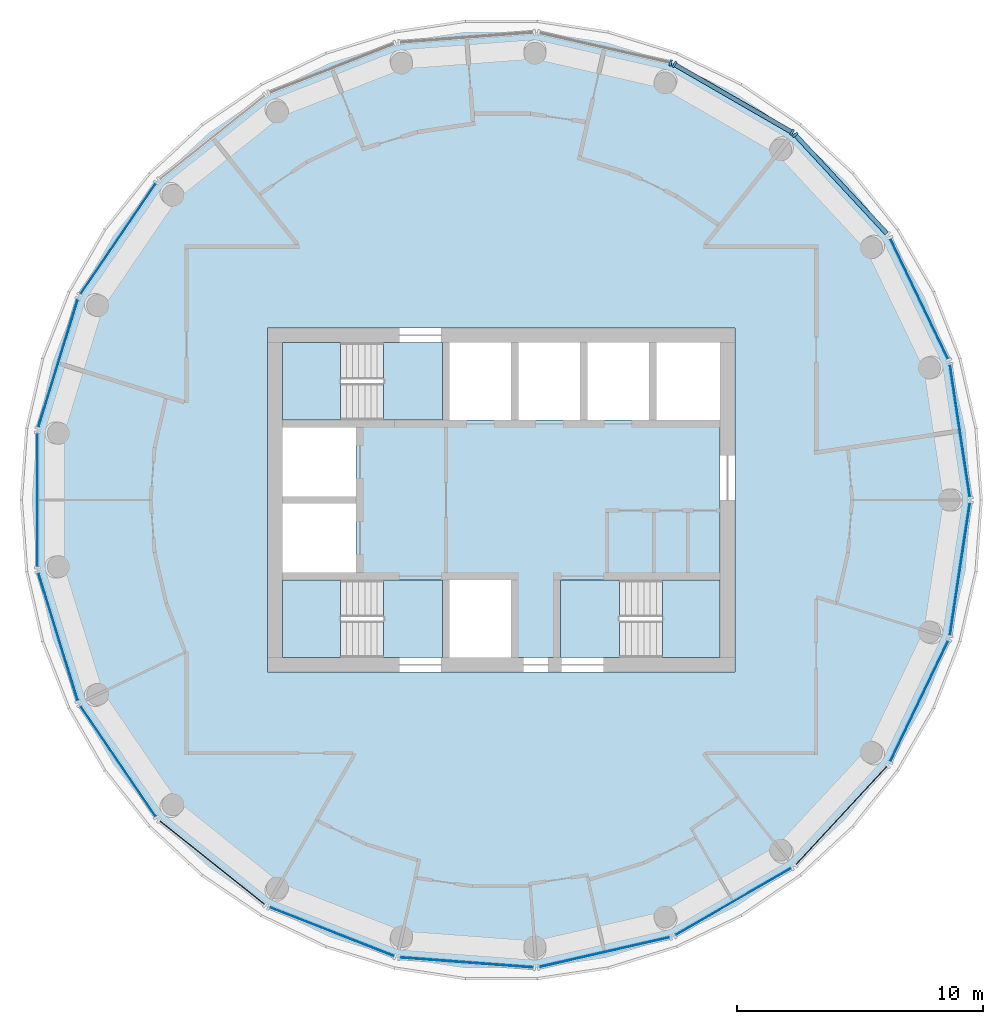
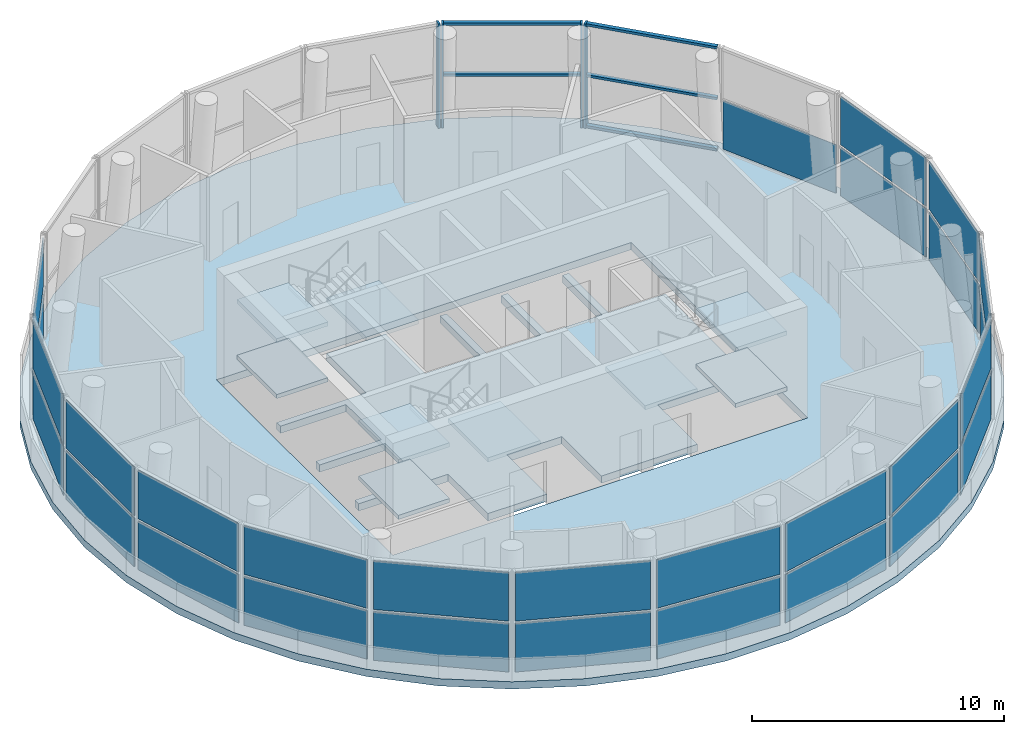
# One storey, part 3 of 10: 29 plates, 11 slabs, 9 members, 21 elements without a shape of their own.
"""IFC4 building model written with IfcOpenShell, lengths in metres."""

from ifc_helpers import new_model, si_unit, direction, frame, origin, origin_2d, place, context, subcontext, project, spatial, polyline, rectangle, outline, extrude, material, layer, layer_set, material_profile, profile_set, type_object, element, aggregate, save


model = new_model("IFC4")

# Units and contexts
model_context = context("Model", 3, precision=1e-05, world=origin(), true_north=direction((0.0, 1.0)))
body_context = subcontext(model_context, "Body", "Model", "MODEL_VIEW")
ifc_project = project(units=[si_unit("LENGTHUNIT", "METRE"), si_unit("AREAUNIT", "SQUARE_METRE"), si_unit("VOLUMEUNIT", "CUBIC_METRE"), si_unit("PLANEANGLEUNIT", "RADIAN"), si_unit("MASSUNIT", "GRAM", prefix="KILO")], contexts=[model_context])

# Site, building, storey
site_placement = place(None, origin())
site = spatial("IfcSite", under=ifc_project, at=site_placement, CompositionType="ELEMENT")
building_placement = place(site_placement, origin())
building = spatial("IfcBuilding", under=site, at=building_placement, Name="Tracery Tower", CompositionType="ELEMENT")
storey_placement = place(building_placement, frame((0.0, 0.0, 336.0)))
storey = spatial("IfcBuildingStorey", under=building, at=storey_placement, Name="L87", CompositionType="ELEMENT", Elevation=336.0)

# Curtain wall, member
ifc_material_1 = material(Name="Aluminium curtain wall with tinted glass", Category="aluminium")
curtain_wall_type = type_object("IfcCurtainWallType", Name="Glazed crown lower curtain wall", PredefinedType="NOTDEFINED", material=ifc_material_1)
curtain_wall_1_placement = place(storey_placement, origin())
curtain_wall_1 = element("IfcCurtainWall", 1, at=curtain_wall_1_placement, inside=storey, type_object=curtain_wall_type, Name="Glazed crown lower run 02", PredefinedType="NOTDEFINED")
ifc_material_2 = material(Name="Aluminium, bronze anodised", Category="aluminium")
ifc_material_profile_1 = material_profile(ifc_material_2, rectangle(XDim=0.260009765625, YDim=0.090087890625, at=origin_2d()), Name="Glazed crown lower mullion 90 x 260")
ifc_profile_set_1 = profile_set([ifc_material_profile_1], Name="Aluminium, bronze anodised")
member_type_1 = type_object("IfcMemberType", Name="Glazed crown lower mullion 90 x 260", PredefinedType="MULLION", material=ifc_profile_set_1)
member_1_placement = place(storey_placement, frame((11.94921875, 14.848876953125, 0.0), z_axis=(0.0, 0.0, 1.0), x_axis=(-0.733043800123, -0.680181436899, 0.0)))
member_1 = element("IfcMember", 2, at=member_1_placement, type_object=member_type_1, Name="CWB2 mullion 2", PredefinedType="MULLION", context=body_context, shape_type="SweptSolid", body=[
    extrude(rectangle(XDim=0.260009765625, YDim=0.090087890625, at=origin_2d()), origin(), (0.0, 0.0, 1.0), 5.050048828125),
])

# Curtain wall, members
curtain_wall_2_placement = place(storey_placement, origin())
curtain_wall_2 = element("IfcCurtainWall", 3, at=curtain_wall_2_placement, inside=storey, type_object=curtain_wall_type, Name="Glazed crown lower run 03", PredefinedType="NOTDEFINED")
member_2_placement = place(storey_placement, frame((11.817626953125, 14.95361328125, 0.0), z_axis=(0.0, 0.0, 1.0), x_axis=(-0.500003522198, -0.866023370233, 0.0)))
member_2 = element("IfcMember", 4, at=member_2_placement, type_object=member_type_1, Name="CWB2 mullion 1", PredefinedType="MULLION", context=body_context, shape_type="SweptSolid", body=[
    extrude(rectangle(XDim=0.260009765625, YDim=0.090087890625, at=origin_2d()), origin(), (0.0, 0.0, 1.0), 5.050048828125),
])
member_3_placement = place(storey_placement, frame((7.04150390625, 17.711181640625, 0.0), z_axis=(0.0, 0.0, 1.0), x_axis=(-0.500003522198, -0.866023370233, 0.0)))
member_3 = element("IfcMember", 5, at=member_3_placement, type_object=member_type_1, Name="CWB2 mullion 2", PredefinedType="MULLION", context=body_context, shape_type="SweptSolid", body=[
    extrude(rectangle(XDim=0.260009765625, YDim=0.090087890625, at=origin_2d()), origin(), (0.0, 0.0, 1.0), 5.050048828125),
])

# Curtain wall, member
curtain_wall_3_placement = place(storey_placement, origin())
curtain_wall_3 = element("IfcCurtainWall", 6, at=curtain_wall_3_placement, inside=storey, type_object=curtain_wall_type, Name="Glazed crown lower run 04", PredefinedType="NOTDEFINED")
member_4_placement = place(storey_placement, frame((6.885009765625, 17.772705078125, 0.0), z_axis=(0.0, 0.0, 1.0), x_axis=(-0.22252783727, -0.97492633652, 0.0)))
member_4 = element("IfcMember", 7, at=member_4_placement, type_object=member_type_1, Name="CWB2 mullion 1", PredefinedType="MULLION", context=body_context, shape_type="SweptSolid", body=[
    extrude(rectangle(XDim=0.260009765625, YDim=0.090087890625, at=origin_2d()), origin(), (0.0, 0.0, 1.0), 5.050048828125),
])
aggregate(curtain_wall_3, [member_4])

# Member
ifc_material_3 = material(Name="Aluminium, bronze anodised", Category="aluminium")
ifc_material_profile_2 = material_profile(ifc_material_3, rectangle(XDim=0.179931640625, YDim=0.1201171875, at=origin_2d()), Name="Glazed crown lower transom 120 x 180")
ifc_profile_set_2 = profile_set([ifc_material_profile_2], Name="Aluminium, bronze anodised")
member_type_2 = type_object("IfcMemberType", Name="Glazed crown lower transom 120 x 180", PredefinedType="USERDEFINED", material=ifc_profile_set_2)
member_5_placement = place(storey_placement, frame((15.669677734375, 10.839111328125, 0.06005859375), z_axis=(-0.680173142396, 0.733051496393, 0.0), x_axis=(-0.733051496393, -0.680173142396, 0.0)))
member_5 = element("IfcMember", 8, at=member_5_placement, type_object=member_type_2, Name="CWB2 transom 1.1", ObjectType="TRANSOM", PredefinedType="USERDEFINED", context=body_context, shape_type="SweptSolid", body=[
    extrude(rectangle(XDim=0.179931640625, YDim=0.1201171875, at=origin_2d()), origin(), (0.0, 0.0, 1.0), 5.425048828125),
])

member_6_placement = place(storey_placement, frame((15.669677734375, 10.839111328125, 2.52490234375), z_axis=(-0.680173142396, 0.733051496393, 0.0), x_axis=(-0.733051496393, -0.680173142396, 0.0)))
member_6 = element("IfcMember", 9, at=member_6_placement, type_object=member_type_2, Name="CWB2 transom 1.2", ObjectType="TRANSOM", PredefinedType="USERDEFINED", context=body_context, shape_type="SweptSolid", body=[
    extrude(rectangle(XDim=0.179931640625, YDim=0.1201171875, at=origin_2d()), origin(), (0.0, 0.0, 1.0), 5.425048828125),
])

member_7_placement = place(storey_placement, frame((15.669677734375, 10.839111328125, 4.989990234375), z_axis=(-0.680173142396, 0.733051496393, 0.0), x_axis=(-0.733051496393, -0.680173142396, 0.0)))
member_7 = element("IfcMember", 10, at=member_7_placement, type_object=member_type_2, Name="CWB2 transom 1.3", ObjectType="TRANSOM", PredefinedType="USERDEFINED", context=body_context, shape_type="SweptSolid", body=[
    extrude(rectangle(XDim=0.179931640625, YDim=0.1201171875, at=origin_2d()), origin(), (0.0, 0.0, 1.0), 5.425048828125),
])

aggregate(curtain_wall_1, [member_1, member_5, member_6, member_7])

member_8_placement = place(storey_placement, frame((11.77880859375, 14.976318359375, 2.52490234375), z_axis=(-0.866046953215, 0.499962673433, 0.0), x_axis=(-0.499962673433, -0.866046953215, 0.0)))
member_8 = element("IfcMember", 11, at=member_8_placement, type_object=member_type_2, Name="CWB2 transom 1.2", ObjectType="TRANSOM", PredefinedType="USERDEFINED", context=body_context, shape_type="SweptSolid", body=[
    extrude(rectangle(XDim=0.179931640625, YDim=0.1201171875, at=origin_2d()), origin(), (0.0, 0.0, 1.0), 5.42529296875),
])

member_9_placement = place(storey_placement, frame((11.77880859375, 14.976318359375, 4.989990234375), z_axis=(-0.866046953215, 0.499962673433, 0.0), x_axis=(-0.499962673433, -0.866046953215, 0.0)))
member_9 = element("IfcMember", 12, at=member_9_placement, type_object=member_type_2, Name="CWB2 transom 1.3", ObjectType="TRANSOM", PredefinedType="USERDEFINED", context=body_context, shape_type="SweptSolid", body=[
    extrude(rectangle(XDim=0.179931640625, YDim=0.1201171875, at=origin_2d()), origin(), (0.0, 0.0, 1.0), 5.42529296875),
])

aggregate(curtain_wall_2, [member_2, member_3, member_8, member_9])

# Slabs
ifc_material_4 = material(Name="Concrete C40/50", Category="concrete")
ifc_layer_1 = layer(ifc_material_4, 0.35009765625)
ifc_layer_set_1 = layer_set([ifc_layer_1], Name="Core floor slab 350 C40")
slab_type_1 = type_object("IfcSlabType", Name="Core floor slab 350 C40", PredefinedType="FLOOR", material=ifc_layer_set_1)
slab_1_placement = place(storey_placement, frame((0.0, 0.0, -0.35009765625)))
element("IfcSlab", 13, at=slab_1_placement, inside=storey, type_object=slab_type_1, Name="L87 core floor 1", PredefinedType="FLOOR", context=body_context, shape_type="SweptSolid", body=[
    extrude(outline(polyline([(-4.800537109375, -3.25), (-8.89990234375, -3.25), (-8.89990234375, -2.949951171875), (-5.89990234375, -2.949951171875), (-5.89990234375, -0.14990234375), (-8.89990234375, -0.14990234375), (-8.89990234375, 0.14990234375), (-5.89990234375, 0.14990234375), (-5.89990234375, 2.949951171875), (-8.89990234375, 2.949951171875), (-8.89990234375, 3.25), (-4.800537109375, 3.25), (-4.800537109375, 6.39990234375), (-2.10009765625, 6.39990234375), (-2.10009765625, 3.25), (0.39990234375, 3.25), (0.39990234375, 6.39990234375), (0.699951171875, 6.39990234375), (0.699951171875, 3.25), (3.199951171875, 3.25), (3.199951171875, 6.39990234375), (3.5, 6.39990234375), (3.5, 3.25), (6.0, 3.25), (6.0, 6.39990234375), (6.300048828125, 6.39990234375), (6.300048828125, 3.25), (8.89990234375, 3.25), (8.89990234375, -3.25), (4.800537109375, -3.25), (4.800537109375, -6.39990234375), (0.39990234375, -6.39990234375), (0.39990234375, -3.25), (-2.10009765625, -3.25), (-2.10009765625, -6.39990234375), (-4.800537109375, -6.39990234375), (-4.800537109375, -3.25)])), origin(), (0.0, 0.0, 1.0), 0.35009765625),
])
ifc_material_5 = material(Name="Concrete C40/50", Category="concrete")
ifc_layer_2 = layer(ifc_material_5, 0.35009765625)
ifc_layer_set_2 = layer_set([ifc_layer_2], Name="Crown floor slab 350")
slab_type_2 = type_object("IfcSlabType", Name="Crown floor slab 350", PredefinedType="FLOOR", material=ifc_layer_set_2)
slab_2_placement = place(storey_placement, frame((0.0, 0.0, -0.35009765625)))
element("IfcSlab", 14, at=slab_2_placement, inside=storey, type_object=slab_type_2, Name="Floor slab L87", PredefinedType="FLOOR", context=body_context, shape_type="SweptSolid", body=[
    extrude(outline(polyline([(18.70263671875, -5.76904296875), (19.353515625, -2.9169921875), (19.572265625, 0.0), (19.353515625, 2.9169921875), (18.70263671875, 5.76904296875), (17.6337890625, 8.4921875), (16.17138671875, 11.025390625), (14.347412109375, 13.3125), (12.203125, 15.30224609375), (9.7861328125, 16.949951171875), (7.150390625, 18.21923828125), (4.355224609375, 19.08154296875), (1.462646484375, 19.517578125), (-1.462646484375, 19.517578125), (-4.355224609375, 19.08154296875), (-7.150390625, 18.21923828125), (-9.7861328125, 16.949951171875), (-12.203125, 15.30224609375), (-14.347412109375, 13.3125), (-16.17138671875, 11.025390625), (-17.6337890625, 8.4921875), (-18.70263671875, 5.76904296875), (-19.353515625, 2.9169921875), (-19.572265625, 0.0), (-19.353515625, -2.9169921875), (-18.70263671875, -5.76904296875), (-17.6337890625, -8.4921875), (-16.17138671875, -11.025390625), (-14.347412109375, -13.3125), (-12.203125, -15.30224609375), (-9.7861328125, -16.949951171875), (-7.150390625, -18.21923828125), (-4.355224609375, -19.08154296875), (-1.462646484375, -19.517578125), (1.462646484375, -19.517578125), (4.355224609375, -19.08154296875), (7.150390625, -18.21923828125), (9.7861328125, -16.949951171875), (12.203125, -15.30224609375), (14.347412109375, -13.3125), (16.17138671875, -11.025390625), (17.6337890625, -8.4921875), (18.70263671875, -5.76904296875)]), holes=[polyline([(-9.5, -7.0), (9.5, -7.0), (9.5, 7.0), (-9.5, 7.0), (-9.5, -7.0)])]), origin(), (0.0, 0.0, 1.0), 0.35009765625),
])

# Curtain wall, plates
curtain_wall_4_placement = place(storey_placement, origin())
curtain_wall_4 = element("IfcCurtainWall", 15, at=curtain_wall_4_placement, inside=storey, type_object=curtain_wall_type, Name="Glazed crown lower run 00", PredefinedType="NOTDEFINED")
ifc_material_6 = material(Name="Tinted laminated glass", Category="glass")
ifc_layer_3 = layer(ifc_material_6, 0.031982421875)
ifc_layer_set_3 = layer_set([ifc_layer_3], Name="Glazed crown lower glass panel 32")
plate_type = type_object("IfcPlateType", Name="Glazed crown lower glass panel 32", PredefinedType="CURTAIN_PANEL", material=ifc_layer_set_3)
plate_1_placement = place(storey_placement, frame((18.6484375, 2.810791015625, 0.1201171875), z_axis=(0.0, 0.0, 1.0), x_axis=(-0.149042709329, 0.988830759431, 0.0)))
plate_1 = element("IfcPlate", 16, at=plate_1_placement, type_object=plate_type, Name="CWB2 panel 1.1", PredefinedType="CURTAIN_PANEL", context=body_context, shape_type="SweptSolid", body=[
    extrude(rectangle(XDim=5.425048828125, YDim=0.031982421875, at=origin_2d()), origin(), (0.0, 0.0, 1.0), 2.344970703125),
])
plate_2_placement = place(storey_placement, frame((18.6484375, 2.810791015625, 2.5849609375), z_axis=(0.0, 0.0, 1.0), x_axis=(-0.149042709329, 0.988830759431, 0.0)))
plate_2 = element("IfcPlate", 17, at=plate_2_placement, type_object=plate_type, Name="CWB2 panel 1.2", PredefinedType="CURTAIN_PANEL", context=body_context, shape_type="SweptSolid", body=[
    extrude(rectangle(XDim=5.425048828125, YDim=0.031982421875, at=origin_2d()), origin(), (0.0, 0.0, 1.0), 2.344970703125),
])
aggregate(curtain_wall_4, [plate_1, plate_2])

# Curtain wall, plate
curtain_wall_5_placement = place(storey_placement, origin())
curtain_wall_5 = element("IfcCurtainWall", 18, at=curtain_wall_5_placement, inside=storey, type_object=curtain_wall_type, Name="Glazed crown lower run 01", PredefinedType="NOTDEFINED")
plate_3_placement = place(storey_placement, frame((16.991455078125, 8.1826171875, 0.1201171875), z_axis=(0.0, 0.0, 1.0), x_axis=(-0.433890715943, 0.900965508007, 0.0)))
plate_3 = element("IfcPlate", 19, at=plate_3_placement, type_object=plate_type, Name="CWB2 panel 1.1", PredefinedType="CURTAIN_PANEL", context=body_context, shape_type="SweptSolid", body=[
    extrude(rectangle(XDim=5.425048828125, YDim=0.031982421875, at=origin_2d()), origin(), (0.0, 0.0, 1.0), 2.344970703125),
])
aggregate(curtain_wall_5, [plate_3])

# Curtain wall, plates
curtain_wall_6_placement = place(storey_placement, origin())
curtain_wall_6 = element("IfcCurtainWall", 20, at=curtain_wall_6_placement, inside=storey, type_object=curtain_wall_type, Name="Glazed crown lower run 08", PredefinedType="NOTDEFINED")
plate_4_placement = place(storey_placement, frame((-15.58203125, 10.623779296875, 0.1201171875), z_axis=(0.0, 0.0, 1.0), x_axis=(-0.56332852063, -0.826233004573, 0.0)))
plate_4 = element("IfcPlate", 21, at=plate_4_placement, type_object=plate_type, Name="CWB2 panel 1.1", PredefinedType="CURTAIN_PANEL", context=body_context, shape_type="SweptSolid", body=[
    extrude(rectangle(XDim=5.425048828125, YDim=0.031982421875, at=origin_2d()), origin(), (0.0, 0.0, 1.0), 2.344970703125),
])
plate_5_placement = place(storey_placement, frame((-15.58203125, 10.623779296875, 2.5849609375), z_axis=(0.0, 0.0, 1.0), x_axis=(-0.56332852063, -0.826233004573, 0.0)))
plate_5 = element("IfcPlate", 22, at=plate_5_placement, type_object=plate_type, Name="CWB2 panel 1.2", PredefinedType="CURTAIN_PANEL", context=body_context, shape_type="SweptSolid", body=[
    extrude(rectangle(XDim=5.425048828125, YDim=0.031982421875, at=origin_2d()), origin(), (0.0, 0.0, 1.0), 2.344970703125),
])
aggregate(curtain_wall_6, [plate_4, plate_5])

curtain_wall_7_placement = place(storey_placement, origin())
curtain_wall_7 = element("IfcCurtainWall", 23, at=curtain_wall_7_placement, inside=storey, type_object=curtain_wall_type, Name="Glazed crown lower run 09", PredefinedType="NOTDEFINED")
plate_6_placement = place(storey_placement, frame((-18.021240234375, 5.558837890625, 0.1201171875), z_axis=(0.0, 0.0, 1.0), x_axis=(-0.294765266906, -0.955569692605, 0.0)))
plate_6 = element("IfcPlate", 24, at=plate_6_placement, type_object=plate_type, Name="CWB2 panel 1.1", PredefinedType="CURTAIN_PANEL", context=body_context, shape_type="SweptSolid", body=[
    extrude(rectangle(XDim=5.425048828125, YDim=0.031982421875, at=origin_2d()), origin(), (0.0, 0.0, 1.0), 2.344970703125),
])
plate_7_placement = place(storey_placement, frame((-18.021240234375, 5.558837890625, 2.5849609375), z_axis=(0.0, 0.0, 1.0), x_axis=(-0.294765266906, -0.955569692605, 0.0)))
plate_7 = element("IfcPlate", 25, at=plate_7_placement, type_object=plate_type, Name="CWB2 panel 1.2", PredefinedType="CURTAIN_PANEL", context=body_context, shape_type="SweptSolid", body=[
    extrude(rectangle(XDim=5.425048828125, YDim=0.031982421875, at=origin_2d()), origin(), (0.0, 0.0, 1.0), 2.344970703125),
])
aggregate(curtain_wall_7, [plate_6, plate_7])

curtain_wall_8_placement = place(storey_placement, origin())
curtain_wall_8 = element("IfcCurtainWall", 26, at=curtain_wall_8_placement, inside=storey, type_object=curtain_wall_type, Name="Glazed crown lower run 10", PredefinedType="NOTDEFINED")
plate_8_placement = place(storey_placement, frame((-18.859130859375, 0.0, 0.1201171875), z_axis=(0.0, 0.0, 1.0), x_axis=(0.0, -1.0, 0.0)))
plate_8 = element("IfcPlate", 27, at=plate_8_placement, type_object=plate_type, Name="CWB2 panel 1.1", PredefinedType="CURTAIN_PANEL", context=body_context, shape_type="SweptSolid", body=[
    extrude(rectangle(XDim=5.42529296875, YDim=0.031982421875, at=origin_2d()), origin(), (0.0, 0.0, 1.0), 2.344970703125),
])
plate_9_placement = place(storey_placement, frame((-18.859130859375, 0.0, 2.5849609375), z_axis=(0.0, 0.0, 1.0), x_axis=(0.0, -1.0, 0.0)))
plate_9 = element("IfcPlate", 28, at=plate_9_placement, type_object=plate_type, Name="CWB2 panel 1.2", PredefinedType="CURTAIN_PANEL", context=body_context, shape_type="SweptSolid", body=[
    extrude(rectangle(XDim=5.42529296875, YDim=0.031982421875, at=origin_2d()), origin(), (0.0, 0.0, 1.0), 2.344970703125),
])
aggregate(curtain_wall_8, [plate_8, plate_9])

curtain_wall_9_placement = place(storey_placement, origin())
curtain_wall_9 = element("IfcCurtainWall", 29, at=curtain_wall_9_placement, inside=storey, type_object=curtain_wall_type, Name="Glazed crown lower run 11", PredefinedType="NOTDEFINED")
plate_10_placement = place(storey_placement, frame((-18.021240234375, -5.558837890625, 0.1201171875), z_axis=(0.0, 0.0, 1.0), x_axis=(0.294765266906, -0.955569692605, 0.0)))
plate_10 = element("IfcPlate", 30, at=plate_10_placement, type_object=plate_type, Name="CWB2 panel 1.1", PredefinedType="CURTAIN_PANEL", context=body_context, shape_type="SweptSolid", body=[
    extrude(rectangle(XDim=5.425048828125, YDim=0.031982421875, at=origin_2d()), origin(), (0.0, 0.0, 1.0), 2.344970703125),
])
plate_11_placement = place(storey_placement, frame((-18.021240234375, -5.558837890625, 2.5849609375), z_axis=(0.0, 0.0, 1.0), x_axis=(0.294765266906, -0.955569692605, 0.0)))
plate_11 = element("IfcPlate", 31, at=plate_11_placement, type_object=plate_type, Name="CWB2 panel 1.2", PredefinedType="CURTAIN_PANEL", context=body_context, shape_type="SweptSolid", body=[
    extrude(rectangle(XDim=5.425048828125, YDim=0.031982421875, at=origin_2d()), origin(), (0.0, 0.0, 1.0), 2.344970703125),
])
aggregate(curtain_wall_9, [plate_10, plate_11])

curtain_wall_10_placement = place(storey_placement, origin())
curtain_wall_10 = element("IfcCurtainWall", 32, at=curtain_wall_10_placement, inside=storey, type_object=curtain_wall_type, Name="Glazed crown lower run 12", PredefinedType="NOTDEFINED")
plate_12_placement = place(storey_placement, frame((-15.58203125, -10.623779296875, 0.1201171875), z_axis=(0.0, 0.0, 1.0), x_axis=(0.56332852063, -0.826233004573, 0.0)))
plate_12 = element("IfcPlate", 33, at=plate_12_placement, type_object=plate_type, Name="CWB2 panel 1.1", PredefinedType="CURTAIN_PANEL", context=body_context, shape_type="SweptSolid", body=[
    extrude(rectangle(XDim=5.425048828125, YDim=0.031982421875, at=origin_2d()), origin(), (0.0, 0.0, 1.0), 2.344970703125),
])
plate_13_placement = place(storey_placement, frame((-15.58203125, -10.623779296875, 2.5849609375), z_axis=(0.0, 0.0, 1.0), x_axis=(0.56332852063, -0.826233004573, 0.0)))
plate_13 = element("IfcPlate", 34, at=plate_13_placement, type_object=plate_type, Name="CWB2 panel 1.2", PredefinedType="CURTAIN_PANEL", context=body_context, shape_type="SweptSolid", body=[
    extrude(rectangle(XDim=5.425048828125, YDim=0.031982421875, at=origin_2d()), origin(), (0.0, 0.0, 1.0), 2.344970703125),
])
aggregate(curtain_wall_10, [plate_12, plate_13])

curtain_wall_11_placement = place(storey_placement, origin())
curtain_wall_11 = element("IfcCurtainWall", 35, at=curtain_wall_11_placement, inside=storey, type_object=curtain_wall_type, Name="Glazed crown lower run 13", PredefinedType="NOTDEFINED")
plate_14_placement = place(storey_placement, frame((-11.758544921875, -14.74462890625, 0.1201171875), z_axis=(0.0, 0.0, 1.0), x_axis=(0.781821731965, -0.623502028407, 0.0)))
plate_14 = element("IfcPlate", 36, at=plate_14_placement, type_object=plate_type, Name="CWB2 panel 1.1", PredefinedType="CURTAIN_PANEL", context=body_context, shape_type="SweptSolid", body=[
    extrude(rectangle(XDim=5.425048828125, YDim=0.031982421875, at=origin_2d()), origin(), (0.0, 0.0, 1.0), 2.344970703125),
])
plate_15_placement = place(storey_placement, frame((-11.758544921875, -14.74462890625, 2.5849609375), z_axis=(0.0, 0.0, 1.0), x_axis=(0.781821731965, -0.623502028407, 0.0)))
plate_15 = element("IfcPlate", 37, at=plate_15_placement, type_object=plate_type, Name="CWB2 panel 1.2", PredefinedType="CURTAIN_PANEL", context=body_context, shape_type="SweptSolid", body=[
    extrude(rectangle(XDim=5.425048828125, YDim=0.031982421875, at=origin_2d()), origin(), (0.0, 0.0, 1.0), 2.344970703125),
])
aggregate(curtain_wall_11, [plate_14, plate_15])

curtain_wall_12_placement = place(storey_placement, origin())
curtain_wall_12 = element("IfcCurtainWall", 38, at=curtain_wall_12_placement, inside=storey, type_object=curtain_wall_type, Name="Glazed crown lower run 14", PredefinedType="NOTDEFINED")
plate_16_placement = place(storey_placement, frame((-6.89013671875, -17.555419921875, 0.1201171875), z_axis=(0.0, 0.0, 1.0), x_axis=(0.930873527055, -0.365341588966, 0.0)))
plate_16 = element("IfcPlate", 39, at=plate_16_placement, type_object=plate_type, Name="CWB2 panel 1.1", PredefinedType="CURTAIN_PANEL", context=body_context, shape_type="SweptSolid", body=[
    extrude(rectangle(XDim=5.425048828125, YDim=0.031982421875, at=origin_2d()), origin(), (0.0, 0.0, 1.0), 2.344970703125),
])
plate_17_placement = place(storey_placement, frame((-6.89013671875, -17.555419921875, 2.5849609375), z_axis=(0.0, 0.0, 1.0), x_axis=(0.930873527055, -0.365341588966, 0.0)))
plate_17 = element("IfcPlate", 40, at=plate_17_placement, type_object=plate_type, Name="CWB2 panel 1.2", PredefinedType="CURTAIN_PANEL", context=body_context, shape_type="SweptSolid", body=[
    extrude(rectangle(XDim=5.425048828125, YDim=0.031982421875, at=origin_2d()), origin(), (0.0, 0.0, 1.0), 2.344970703125),
])
aggregate(curtain_wall_12, [plate_16, plate_17])

curtain_wall_13_placement = place(storey_placement, origin())
curtain_wall_13 = element("IfcCurtainWall", 41, at=curtain_wall_13_placement, inside=storey, type_object=curtain_wall_type, Name="Glazed crown lower run 15", PredefinedType="NOTDEFINED")
plate_18_placement = place(storey_placement, frame((-1.409423828125, -18.806396484375, 0.1201171875), z_axis=(0.0, 0.0, 1.0), x_axis=(0.997203466362, -0.074734507926, 0.0)))
plate_18 = element("IfcPlate", 42, at=plate_18_placement, type_object=plate_type, Name="CWB2 panel 1.1", PredefinedType="CURTAIN_PANEL", context=body_context, shape_type="SweptSolid", body=[
    extrude(rectangle(XDim=5.42529296875, YDim=0.031982421875, at=origin_2d()), origin(), (0.0, 0.0, 1.0), 2.344970703125),
])
plate_19_placement = place(storey_placement, frame((-1.409423828125, -18.806396484375, 2.5849609375), z_axis=(0.0, 0.0, 1.0), x_axis=(0.997203466362, -0.074734507926, 0.0)))
plate_19 = element("IfcPlate", 43, at=plate_19_placement, type_object=plate_type, Name="CWB2 panel 1.2", PredefinedType="CURTAIN_PANEL", context=body_context, shape_type="SweptSolid", body=[
    extrude(rectangle(XDim=5.42529296875, YDim=0.031982421875, at=origin_2d()), origin(), (0.0, 0.0, 1.0), 2.344970703125),
])
aggregate(curtain_wall_13, [plate_18, plate_19])

curtain_wall_14_placement = place(storey_placement, origin())
curtain_wall_14 = element("IfcCurtainWall", 44, at=curtain_wall_14_placement, inside=storey, type_object=curtain_wall_type, Name="Glazed crown lower run 16", PredefinedType="NOTDEFINED")
plate_20_placement = place(storey_placement, frame((4.196533203125, -18.38623046875, 0.1201171875), z_axis=(0.0, 0.0, 1.0), x_axis=(0.97492633652, 0.22252783727, 0.0)))
plate_20 = element("IfcPlate", 45, at=plate_20_placement, type_object=plate_type, Name="CWB2 panel 1.1", PredefinedType="CURTAIN_PANEL", context=body_context, shape_type="SweptSolid", body=[
    extrude(rectangle(XDim=5.425048828125, YDim=0.031982421875, at=origin_2d()), origin(), (0.0, 0.0, 1.0), 2.344970703125),
])
plate_21_placement = place(storey_placement, frame((4.196533203125, -18.38623046875, 2.5849609375), z_axis=(0.0, 0.0, 1.0), x_axis=(0.97492633652, 0.22252783727, 0.0)))
plate_21 = element("IfcPlate", 46, at=plate_21_placement, type_object=plate_type, Name="CWB2 panel 1.2", PredefinedType="CURTAIN_PANEL", context=body_context, shape_type="SweptSolid", body=[
    extrude(rectangle(XDim=5.425048828125, YDim=0.031982421875, at=origin_2d()), origin(), (0.0, 0.0, 1.0), 2.344970703125),
])
aggregate(curtain_wall_14, [plate_20, plate_21])

curtain_wall_15_placement = place(storey_placement, origin())
curtain_wall_15 = element("IfcCurtainWall", 47, at=curtain_wall_15_placement, inside=storey, type_object=curtain_wall_type, Name="Glazed crown lower run 17", PredefinedType="NOTDEFINED")
plate_22_placement = place(storey_placement, frame((9.4296875, -16.33251953125, 0.1201171875), z_axis=(0.0, 0.0, 1.0), x_axis=(0.866023370233, 0.500003522198, 0.0)))
plate_22 = element("IfcPlate", 48, at=plate_22_placement, type_object=plate_type, Name="CWB2 panel 1.1", PredefinedType="CURTAIN_PANEL", context=body_context, shape_type="SweptSolid", body=[
    extrude(rectangle(XDim=5.425048828125, YDim=0.031982421875, at=origin_2d()), origin(), (0.0, 0.0, 1.0), 2.344970703125),
])
plate_23_placement = place(storey_placement, frame((9.4296875, -16.33251953125, 2.5849609375), z_axis=(0.0, 0.0, 1.0), x_axis=(0.866023370233, 0.500003522198, 0.0)))
plate_23 = element("IfcPlate", 49, at=plate_23_placement, type_object=plate_type, Name="CWB2 panel 1.2", PredefinedType="CURTAIN_PANEL", context=body_context, shape_type="SweptSolid", body=[
    extrude(rectangle(XDim=5.425048828125, YDim=0.031982421875, at=origin_2d()), origin(), (0.0, 0.0, 1.0), 2.344970703125),
])
aggregate(curtain_wall_15, [plate_22, plate_23])

curtain_wall_16_placement = place(storey_placement, origin())
curtain_wall_16 = element("IfcCurtainWall", 50, at=curtain_wall_16_placement, inside=storey, type_object=curtain_wall_type, Name="Glazed crown lower run 18", PredefinedType="NOTDEFINED")
plate_24_placement = place(storey_placement, frame((13.82470703125, -12.827392578125, 0.1201171875), z_axis=(0.0, 0.0, 1.0), x_axis=(0.680181436899, 0.733043800123, 0.0)))
plate_24 = element("IfcPlate", 51, at=plate_24_placement, type_object=plate_type, Name="CWB2 panel 1.1", PredefinedType="CURTAIN_PANEL", context=body_context, shape_type="SweptSolid", body=[
    extrude(rectangle(XDim=5.425048828125, YDim=0.031982421875, at=origin_2d()), origin(), (0.0, 0.0, 1.0), 2.344970703125),
])
plate_25_placement = place(storey_placement, frame((13.82470703125, -12.827392578125, 2.5849609375), z_axis=(0.0, 0.0, 1.0), x_axis=(0.680181436899, 0.733043800123, 0.0)))
plate_25 = element("IfcPlate", 52, at=plate_25_placement, type_object=plate_type, Name="CWB2 panel 1.2", PredefinedType="CURTAIN_PANEL", context=body_context, shape_type="SweptSolid", body=[
    extrude(rectangle(XDim=5.425048828125, YDim=0.031982421875, at=origin_2d()), origin(), (0.0, 0.0, 1.0), 2.344970703125),
])
aggregate(curtain_wall_16, [plate_24, plate_25])

curtain_wall_17_placement = place(storey_placement, origin())
curtain_wall_17 = element("IfcCurtainWall", 53, at=curtain_wall_17_placement, inside=storey, type_object=curtain_wall_type, Name="Glazed crown lower run 19", PredefinedType="NOTDEFINED")
plate_26_placement = place(storey_placement, frame((16.991455078125, -8.1826171875, 0.1201171875), z_axis=(0.0, 0.0, 1.0), x_axis=(0.433890715943, 0.900965508007, 0.0)))
plate_26 = element("IfcPlate", 54, at=plate_26_placement, type_object=plate_type, Name="CWB2 panel 1.1", PredefinedType="CURTAIN_PANEL", context=body_context, shape_type="SweptSolid", body=[
    extrude(rectangle(XDim=5.425048828125, YDim=0.031982421875, at=origin_2d()), origin(), (0.0, 0.0, 1.0), 2.344970703125),
])
plate_27_placement = place(storey_placement, frame((16.991455078125, -8.1826171875, 2.5849609375), z_axis=(0.0, 0.0, 1.0), x_axis=(0.433890715943, 0.900965508007, 0.0)))
plate_27 = element("IfcPlate", 55, at=plate_27_placement, type_object=plate_type, Name="CWB2 panel 1.2", PredefinedType="CURTAIN_PANEL", context=body_context, shape_type="SweptSolid", body=[
    extrude(rectangle(XDim=5.425048828125, YDim=0.031982421875, at=origin_2d()), origin(), (0.0, 0.0, 1.0), 2.344970703125),
])
aggregate(curtain_wall_17, [plate_26, plate_27])

curtain_wall_18_placement = place(storey_placement, origin())
curtain_wall_18 = element("IfcCurtainWall", 56, at=curtain_wall_18_placement, inside=storey, type_object=curtain_wall_type, Name="Glazed crown lower run 20", PredefinedType="NOTDEFINED")
plate_28_placement = place(storey_placement, frame((18.6484375, -2.810791015625, 0.1201171875), z_axis=(0.0, 0.0, 1.0), x_axis=(0.149042709329, 0.988830759431, 0.0)))
plate_28 = element("IfcPlate", 57, at=plate_28_placement, type_object=plate_type, Name="CWB2 panel 1.1", PredefinedType="CURTAIN_PANEL", context=body_context, shape_type="SweptSolid", body=[
    extrude(rectangle(XDim=5.425048828125, YDim=0.031982421875, at=origin_2d()), origin(), (0.0, 0.0, 1.0), 2.344970703125),
])
plate_29_placement = place(storey_placement, frame((18.6484375, -2.810791015625, 2.5849609375), z_axis=(0.0, 0.0, 1.0), x_axis=(0.149042709329, 0.988830759431, 0.0)))
plate_29 = element("IfcPlate", 58, at=plate_29_placement, type_object=plate_type, Name="CWB2 panel 1.2", PredefinedType="CURTAIN_PANEL", context=body_context, shape_type="SweptSolid", body=[
    extrude(rectangle(XDim=5.425048828125, YDim=0.031982421875, at=origin_2d()), origin(), (0.0, 0.0, 1.0), 2.344970703125),
])
aggregate(curtain_wall_18, [plate_28, plate_29])

# Stair, slabs
ifc_material_7 = material(Name="Concrete C32/40", Category="concrete")
stair_type = type_object("IfcStairType", Name="Core stair 32 risers", PredefinedType="HALF_TURN_STAIR", material=ifc_material_7)
stair_1_placement = place(storey_placement, origin())
stair_1 = element("IfcStair", 59, at=stair_1_placement, inside=storey, type_object=stair_type, Name="L87 stair ST1", PredefinedType="HALF_TURN_STAIR")
ifc_material_8 = material(Name="Concrete C32/40", Category="concrete")
ifc_layer_4 = layer(ifc_material_8, 0.199951171875)
ifc_layer_set_4 = layer_set([ifc_layer_4], Name="Stair landing slab 200")
slab_type_3 = type_object("IfcSlabType", Name="Stair landing slab 200", PredefinedType="LANDING", material=ifc_layer_set_4)
slab_3_placement = place(storey_placement, frame((0.0, 0.0, 1.14990234375)))
slab_3 = element("IfcSlab", 60, at=slab_3_placement, type_object=slab_type_3, Name="ST1 landing 1", PredefinedType="LANDING", context=body_context, shape_type="SweptSolid", body=[
    extrude(outline(polyline([(-6.54931640625, -3.25), (-8.89990234375, -3.25), (-8.89990234375, -6.39990234375), (-6.54931640625, -6.39990234375), (-6.54931640625, -3.25)])), origin(), (0.0, 0.0, 1.0), 0.2001953125),
])
slab_4_placement = place(storey_placement, frame((0.0, 0.0, 2.5)))
slab_4 = element("IfcSlab", 61, at=slab_4_placement, type_object=slab_type_3, Name="ST1 landing 2", PredefinedType="LANDING", context=body_context, shape_type="SweptSolid", body=[
    extrude(outline(polyline([(-2.39990234375, -3.25), (-4.800537109375, -3.25), (-4.800537109375, -6.39990234375), (-2.39990234375, -6.39990234375), (-2.39990234375, -3.25)])), origin(), (0.0, 0.0, 1.0), 0.199951171875),
])
slab_5_placement = place(storey_placement, frame((0.0, 0.0, 3.85009765625)))
slab_5 = element("IfcSlab", 62, at=slab_5_placement, type_object=slab_type_3, Name="ST1 landing 3", PredefinedType="LANDING", context=body_context, shape_type="SweptSolid", body=[
    extrude(outline(polyline([(-6.54931640625, -3.25), (-8.89990234375, -3.25), (-8.89990234375, -6.39990234375), (-6.54931640625, -6.39990234375), (-6.54931640625, -3.25)])), origin(), (0.0, 0.0, 1.0), 0.199951171875),
])
aggregate(stair_1, [slab_3, slab_4, slab_5])

stair_2_placement = place(storey_placement, origin())
stair_2 = element("IfcStair", 63, at=stair_2_placement, inside=storey, type_object=stair_type, Name="L87 stair ST3", PredefinedType="HALF_TURN_STAIR")
slab_6_placement = place(storey_placement, frame((0.0, 0.0, 1.14990234375)))
slab_6 = element("IfcSlab", 64, at=slab_6_placement, type_object=slab_type_3, Name="ST3 landing 1", PredefinedType="LANDING", context=body_context, shape_type="SweptSolid", body=[
    extrude(outline(polyline([(-6.54931640625, 6.39990234375), (-8.89990234375, 6.39990234375), (-8.89990234375, 3.25), (-6.54931640625, 3.25), (-6.54931640625, 6.39990234375)])), origin(), (0.0, 0.0, 1.0), 0.2001953125),
])
slab_7_placement = place(storey_placement, frame((0.0, 0.0, 2.5)))
slab_7 = element("IfcSlab", 65, at=slab_7_placement, type_object=slab_type_3, Name="ST3 landing 2", PredefinedType="LANDING", context=body_context, shape_type="SweptSolid", body=[
    extrude(outline(polyline([(-2.39990234375, 6.39990234375), (-4.800537109375, 6.39990234375), (-4.800537109375, 3.25), (-2.39990234375, 3.25), (-2.39990234375, 6.39990234375)])), origin(), (0.0, 0.0, 1.0), 0.199951171875),
])
slab_8_placement = place(storey_placement, frame((0.0, 0.0, 3.85009765625)))
slab_8 = element("IfcSlab", 66, at=slab_8_placement, type_object=slab_type_3, Name="ST3 landing 3", PredefinedType="LANDING", context=body_context, shape_type="SweptSolid", body=[
    extrude(outline(polyline([(-6.54931640625, 6.39990234375), (-8.89990234375, 6.39990234375), (-8.89990234375, 3.25), (-6.54931640625, 3.25), (-6.54931640625, 6.39990234375)])), origin(), (0.0, 0.0, 1.0), 0.199951171875),
])
aggregate(stair_2, [slab_6, slab_7, slab_8])

stair_3_placement = place(storey_placement, origin())
stair_3 = element("IfcStair", 67, at=stair_3_placement, inside=storey, type_object=stair_type, Name="L87 stair ST2", PredefinedType="HALF_TURN_STAIR")
slab_9_placement = place(storey_placement, frame((0.0, 0.0, 1.14990234375)))
slab_9 = element("IfcSlab", 68, at=slab_9_placement, type_object=slab_type_3, Name="ST2 landing 1", PredefinedType="LANDING", context=body_context, shape_type="SweptSolid", body=[
    extrude(outline(polyline([(6.54931640625, -6.39990234375), (8.89990234375, -6.39990234375), (8.89990234375, -3.25), (6.54931640625, -3.25), (6.54931640625, -6.39990234375)])), origin(), (0.0, 0.0, 1.0), 0.2001953125),
])
slab_10_placement = place(storey_placement, frame((0.0, 0.0, 2.5)))
slab_10 = element("IfcSlab", 69, at=slab_10_placement, type_object=slab_type_3, Name="ST2 landing 2", PredefinedType="LANDING", context=body_context, shape_type="SweptSolid", body=[
    extrude(outline(polyline([(2.39990234375, -6.39990234375), (4.800537109375, -6.39990234375), (4.800537109375, -3.25), (2.39990234375, -3.25), (2.39990234375, -6.39990234375)])), origin(), (0.0, 0.0, 1.0), 0.199951171875),
])
slab_11_placement = place(storey_placement, frame((0.0, 0.0, 3.85009765625)))
slab_11 = element("IfcSlab", 70, at=slab_11_placement, type_object=slab_type_3, Name="ST2 landing 3", PredefinedType="LANDING", context=body_context, shape_type="SweptSolid", body=[
    extrude(outline(polyline([(6.54931640625, -6.39990234375), (8.89990234375, -6.39990234375), (8.89990234375, -3.25), (6.54931640625, -3.25), (6.54931640625, -6.39990234375)])), origin(), (0.0, 0.0, 1.0), 0.199951171875),
])
aggregate(stair_3, [slab_9, slab_10, slab_11])

save(model, "model.ifc")
